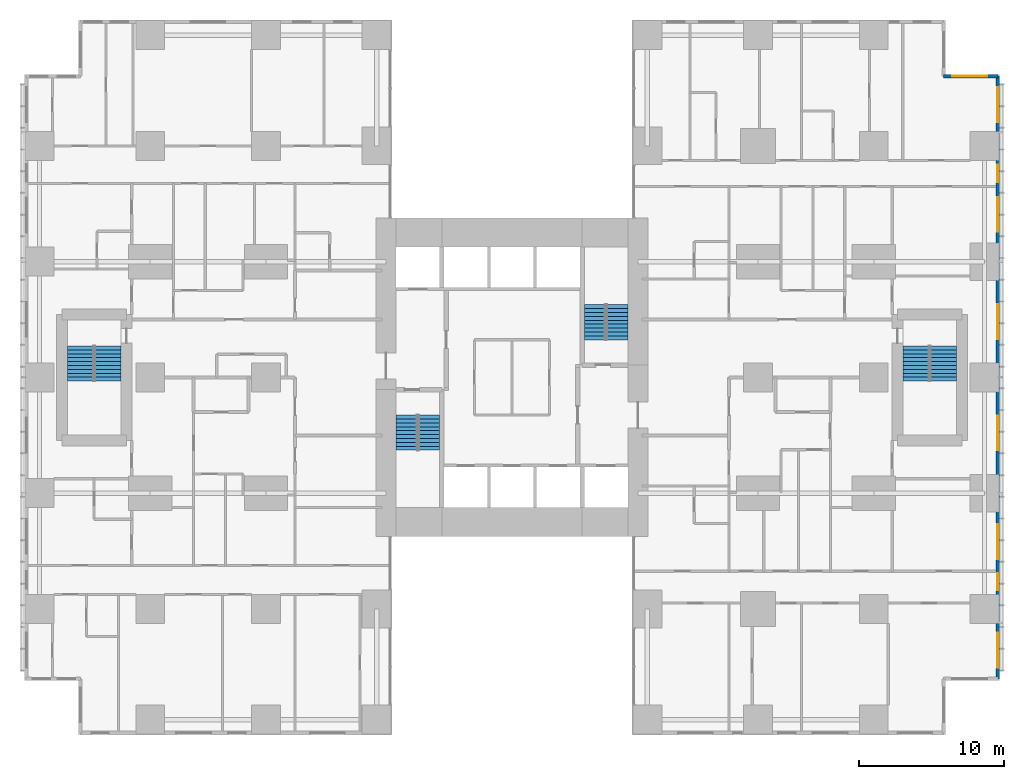
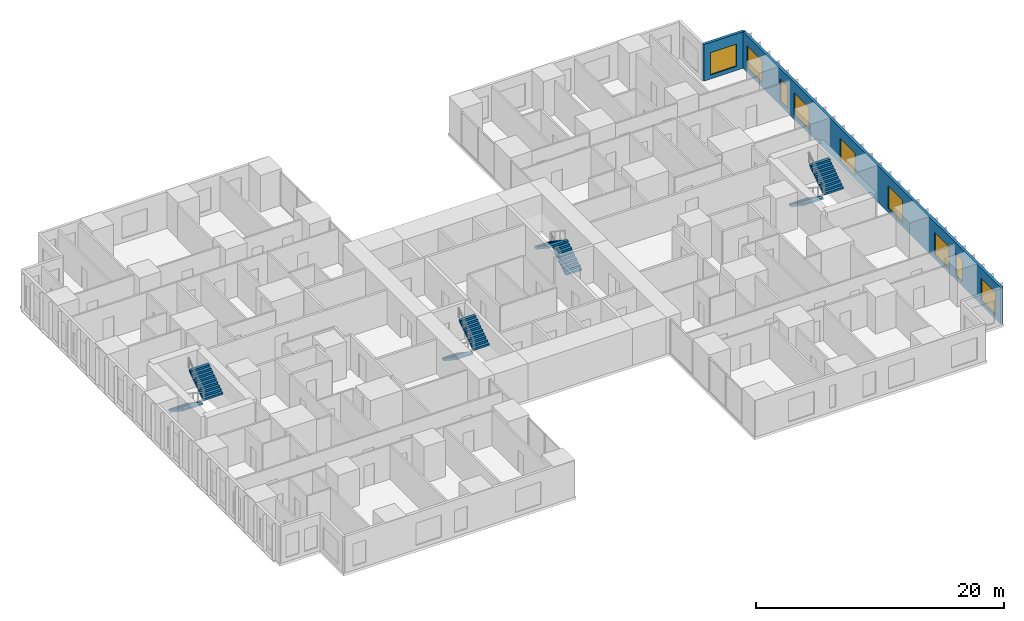
# One storey, part 19 of 20: 9 windows, 8 stair flights, 2 walls, 9 openings, 4 elements without a shape of their own.
"""IFC4 building model written with IfcOpenShell, lengths in metres."""

from ifc_helpers import new_model, si_unit, direction, frame, frame_2d, origin, place, context, subcontext, project, spatial, polyline, rectangle, outline, extrude, material, layer, layer_set, type_object, element, fill, aggregate, save


model = new_model("IFC4")

# Units and contexts
model_context = context("Model", 3, precision=1e-05, world=origin(), true_north=direction((0.0, 1.0)))
body_context = subcontext(model_context, "Body", "Model", "MODEL_VIEW")
ifc_project = project(units=[si_unit("LENGTHUNIT", "METRE"), si_unit("AREAUNIT", "SQUARE_METRE"), si_unit("VOLUMEUNIT", "CUBIC_METRE"), si_unit("PLANEANGLEUNIT", "RADIAN"), si_unit("MASSUNIT", "GRAM", prefix="KILO")], contexts=[model_context])

# Site, building, storey
site_placement = place(None, origin())
site = spatial("IfcSite", under=ifc_project, at=site_placement, CompositionType="ELEMENT")
building_placement = place(site_placement, origin())
building = spatial("IfcBuilding", under=site, at=building_placement, Name="Cleftline Residences", CompositionType="ELEMENT")
storey_placement = place(building_placement, frame((0.0, 0.0, 143.0)))
storey = spatial("IfcBuildingStorey", under=building, at=storey_placement, Name="L37", CompositionType="ELEMENT", Elevation=143.0)

# Wall, openings, windows
ifc_material_1 = material(Name="Rendered reinforced concrete blockwork", Category="masonry")
ifc_layer = layer(ifc_material_1, 0.25)
ifc_layer_set = layer_set([ifc_layer], Name="EXTERNAL WALL 250")
wall_type = type_object("IfcWallType", Name="EXTERNAL WALL 250", PredefinedType="SOLIDWALL", material=ifc_layer_set)
wall_1_placement = place(storey_placement, frame((66.574951171875, 3.175048828125, 0.0), z_axis=(0.0, 0.0, 1.0), x_axis=(0.0, 1.0, 0.0)))
wall_1 = element("IfcWall", 1, at=wall_1_placement, inside=storey, type_object=wall_type, Name="External wall", PredefinedType="SOLIDWALL", context=body_context, shape_type="SweptSolid", body=[
    extrude(rectangle(XDim=41.64990234375, YDim=0.25, at=frame_2d((20.824951171875, 0.0))), origin(), (0.0, 0.0, 1.0), 3.60009765625),
])
opening_1_placement = place(wall_1_placement, frame((0.77490234375, 0.0, 0.39990234375)))
opening_1 = element("IfcOpeningElement", 2, at=opening_1_placement, cuts=wall_1, Name="Opening W12", PredefinedType="OPENING", context=body_context, shape_type="SweptSolid", body=[
    extrude(rectangle(XDim=2.39990234375, YDim=2.199951171875, at=frame_2d((1.199951171875, 1.10009765625))), frame((0.0, 0.135009765625, 0.0), z_axis=(0.0, -1.0, 0.0), x_axis=(1.0, 0.0, 0.0)), (0.0, 0.0, 1.0), 0.27001953125),
])
opening_2_placement = place(wall_1_placement, frame((6.10009765625, 0.0, 0.39990234375)))
opening_2 = element("IfcOpeningElement", 3, at=opening_2_placement, cuts=wall_1, Name="Opening W11", PredefinedType="OPENING", context=body_context, shape_type="SweptSolid", body=[
    extrude(rectangle(XDim=1.199951171875, YDim=2.199951171875, at=frame_2d((0.60009765625, 1.10009765625))), frame((0.0, 0.135009765625, 0.0), z_axis=(0.0, -1.0, 0.0), x_axis=(1.0, 0.0, 0.0)), (0.0, 0.0, 1.0), 0.27001953125),
])
opening_3_placement = place(wall_1_placement, frame((8.27490234375, 0.0, 0.39990234375)))
opening_3 = element("IfcOpeningElement", 4, at=opening_3_placement, cuts=wall_1, Name="Opening W12", PredefinedType="OPENING", context=body_context, shape_type="SweptSolid", body=[
    extrude(rectangle(XDim=2.39990234375, YDim=2.199951171875, at=frame_2d((1.199951171875, 1.10009765625))), frame((0.0, 0.135009765625, 0.0), z_axis=(0.0, -1.0, 0.0), x_axis=(1.0, 0.0, 0.0)), (0.0, 0.0, 1.0), 0.27001953125),
])
opening_4_placement = place(wall_1_placement, frame((15.77490234375, 0.0, 0.39990234375)))
opening_4 = element("IfcOpeningElement", 5, at=opening_4_placement, cuts=wall_1, Name="Opening W12", PredefinedType="OPENING", context=body_context, shape_type="SweptSolid", body=[
    extrude(rectangle(XDim=2.39990234375, YDim=2.199951171875, at=frame_2d((1.199951171875, 1.10009765625))), frame((0.0, 0.135009765625, 0.0), z_axis=(0.0, -1.0, 0.0), x_axis=(1.0, 0.0, 0.0)), (0.0, 0.0, 1.0), 0.27001953125),
])
opening_5_placement = place(wall_1_placement, frame((23.47509765625, 0.0, 0.39990234375)))
opening_5 = element("IfcOpeningElement", 6, at=opening_5_placement, cuts=wall_1, Name="Opening W12", PredefinedType="OPENING", context=body_context, shape_type="SweptSolid", body=[
    extrude(rectangle(XDim=2.39990234375, YDim=2.199951171875, at=frame_2d((1.199951171875, 1.10009765625))), frame((0.0, 0.135009765625, 0.0), z_axis=(0.0, -1.0, 0.0), x_axis=(1.0, 0.0, 0.0)), (0.0, 0.0, 1.0), 0.27001953125),
])
opening_6_placement = place(wall_1_placement, frame((30.875, 0.0, 0.39990234375)))
opening_6 = element("IfcOpeningElement", 7, at=opening_6_placement, cuts=wall_1, Name="Opening W12", PredefinedType="OPENING", context=body_context, shape_type="SweptSolid", body=[
    extrude(rectangle(XDim=2.39990234375, YDim=2.199951171875, at=frame_2d((1.199951171875, 1.10009765625))), frame((0.0, 0.135009765625, 0.0), z_axis=(0.0, -1.0, 0.0), x_axis=(1.0, 0.0, 0.0)), (0.0, 0.0, 1.0), 0.27001953125),
])
opening_7_placement = place(wall_1_placement, frame((34.324951171875, 0.0, 0.39990234375)))
opening_7 = element("IfcOpeningElement", 8, at=opening_7_placement, cuts=wall_1, Name="Opening W11", PredefinedType="OPENING", context=body_context, shape_type="SweptSolid", body=[
    extrude(rectangle(XDim=1.199951171875, YDim=2.199951171875, at=frame_2d((0.60009765625, 1.10009765625))), frame((0.0, 0.135009765625, 0.0), z_axis=(0.0, -1.0, 0.0), x_axis=(1.0, 0.0, 0.0)), (0.0, 0.0, 1.0), 0.27001953125),
])
opening_8_placement = place(wall_1_placement, frame((38.47509765625, 0.0, 0.39990234375)))
opening_8 = element("IfcOpeningElement", 9, at=opening_8_placement, cuts=wall_1, Name="Opening W12", PredefinedType="OPENING", context=body_context, shape_type="SweptSolid", body=[
    extrude(rectangle(XDim=2.39990234375, YDim=2.199951171875, at=frame_2d((1.199951171875, 1.10009765625))), frame((0.0, 0.135009765625, 0.0), z_axis=(0.0, -1.0, 0.0), x_axis=(1.0, 0.0, 0.0)), (0.0, 0.0, 1.0), 0.27001953125),
])
ifc_material_2 = material(Name="Aluminium frame, clear double glazing", Category="aluminium")
window_type_1 = type_object("IfcWindowType", Name="WINDOW 1200X2200", PartitioningType="DOUBLE_PANEL_VERTICAL", PredefinedType="WINDOW", material=ifc_material_2)
window_1_placement = place(opening_2_placement, origin())
window_1 = element("IfcWindow", 10, at=window_1_placement, inside=storey, type_object=window_type_1, Name="Window", OverallHeight=2.199951171875, OverallWidth=1.199951171875, PartitioningType="SINGLE_PANEL", PredefinedType="WINDOW", context=body_context, shape_type="SweptSolid", body=[
    extrude(rectangle(XDim=1.199951171875, YDim=2.199951171875, at=frame_2d((0.60009765625, 1.10009765625))), frame((0.0, 0.030029296875, 0.0), z_axis=(0.0, -1.0, 0.0), x_axis=(1.0, 0.0, 0.0)), (0.0, 0.0, 1.0), 0.06005859375),
])
fill(opening_2, window_1)
window_2_placement = place(opening_7_placement, origin())
window_2 = element("IfcWindow", 11, at=window_2_placement, inside=storey, type_object=window_type_1, Name="Window", OverallHeight=2.199951171875, OverallWidth=1.199951171875, PartitioningType="SINGLE_PANEL", PredefinedType="WINDOW", context=body_context, shape_type="SweptSolid", body=[
    extrude(rectangle(XDim=1.199951171875, YDim=2.199951171875, at=frame_2d((0.60009765625, 1.10009765625))), frame((0.0, 0.030029296875, 0.0), z_axis=(0.0, -1.0, 0.0), x_axis=(1.0, 0.0, 0.0)), (0.0, 0.0, 1.0), 0.06005859375),
])
fill(opening_7, window_2)
ifc_material_3 = material(Name="Aluminium frame, clear double glazing", Category="aluminium")
window_type_2 = type_object("IfcWindowType", Name="WINDOW 2400X2200", PartitioningType="DOUBLE_PANEL_VERTICAL", PredefinedType="WINDOW", material=ifc_material_3)
window_3_placement = place(opening_1_placement, origin())
window_3 = element("IfcWindow", 12, at=window_3_placement, inside=storey, type_object=window_type_2, Name="Window", OverallHeight=2.199951171875, OverallWidth=2.39990234375, PartitioningType="SINGLE_PANEL", PredefinedType="WINDOW", context=body_context, shape_type="SweptSolid", body=[
    extrude(rectangle(XDim=2.39990234375, YDim=2.199951171875, at=frame_2d((1.199951171875, 1.10009765625))), frame((0.0, 0.030029296875, 0.0), z_axis=(0.0, -1.0, 0.0), x_axis=(1.0, 0.0, 0.0)), (0.0, 0.0, 1.0), 0.06005859375),
])
fill(opening_1, window_3)
window_4_placement = place(opening_3_placement, origin())
window_4 = element("IfcWindow", 13, at=window_4_placement, inside=storey, type_object=window_type_2, Name="Window", OverallHeight=2.199951171875, OverallWidth=2.39990234375, PartitioningType="SINGLE_PANEL", PredefinedType="WINDOW", context=body_context, shape_type="SweptSolid", body=[
    extrude(rectangle(XDim=2.39990234375, YDim=2.199951171875, at=frame_2d((1.199951171875, 1.10009765625))), frame((0.0, 0.030029296875, 0.0), z_axis=(0.0, -1.0, 0.0), x_axis=(1.0, 0.0, 0.0)), (0.0, 0.0, 1.0), 0.06005859375),
])
fill(opening_3, window_4)
window_5_placement = place(opening_4_placement, origin())
window_5 = element("IfcWindow", 14, at=window_5_placement, inside=storey, type_object=window_type_2, Name="Window", OverallHeight=2.199951171875, OverallWidth=2.39990234375, PartitioningType="SINGLE_PANEL", PredefinedType="WINDOW", context=body_context, shape_type="SweptSolid", body=[
    extrude(rectangle(XDim=2.39990234375, YDim=2.199951171875, at=frame_2d((1.199951171875, 1.10009765625))), frame((0.0, 0.030029296875, 0.0), z_axis=(0.0, -1.0, 0.0), x_axis=(1.0, 0.0, 0.0)), (0.0, 0.0, 1.0), 0.06005859375),
])
fill(opening_4, window_5)
window_6_placement = place(opening_5_placement, origin())
window_6 = element("IfcWindow", 15, at=window_6_placement, inside=storey, type_object=window_type_2, Name="Window", OverallHeight=2.199951171875, OverallWidth=2.39990234375, PartitioningType="SINGLE_PANEL", PredefinedType="WINDOW", context=body_context, shape_type="SweptSolid", body=[
    extrude(rectangle(XDim=2.39990234375, YDim=2.199951171875, at=frame_2d((1.199951171875, 1.10009765625))), frame((0.0, 0.030029296875, 0.0), z_axis=(0.0, -1.0, 0.0), x_axis=(1.0, 0.0, 0.0)), (0.0, 0.0, 1.0), 0.06005859375),
])
fill(opening_5, window_6)
window_7_placement = place(opening_6_placement, origin())
window_7 = element("IfcWindow", 16, at=window_7_placement, inside=storey, type_object=window_type_2, Name="Window", OverallHeight=2.199951171875, OverallWidth=2.39990234375, PartitioningType="SINGLE_PANEL", PredefinedType="WINDOW", context=body_context, shape_type="SweptSolid", body=[
    extrude(rectangle(XDim=2.39990234375, YDim=2.199951171875, at=frame_2d((1.199951171875, 1.10009765625))), frame((0.0, 0.030029296875, 0.0), z_axis=(0.0, -1.0, 0.0), x_axis=(1.0, 0.0, 0.0)), (0.0, 0.0, 1.0), 0.06005859375),
])
fill(opening_6, window_7)
window_8_placement = place(opening_8_placement, origin())
window_8 = element("IfcWindow", 17, at=window_8_placement, inside=storey, type_object=window_type_2, Name="Window", OverallHeight=2.199951171875, OverallWidth=2.39990234375, PartitioningType="SINGLE_PANEL", PredefinedType="WINDOW", context=body_context, shape_type="SweptSolid", body=[
    extrude(rectangle(XDim=2.39990234375, YDim=2.199951171875, at=frame_2d((1.199951171875, 1.10009765625))), frame((0.0, 0.030029296875, 0.0), z_axis=(0.0, -1.0, 0.0), x_axis=(1.0, 0.0, 0.0)), (0.0, 0.0, 1.0), 0.06005859375),
])
fill(opening_8, window_8)

# Wall, opening, window
wall_2_placement = place(storey_placement, frame((66.574951171875, 44.824951171875, 0.0), z_axis=(0.0, 0.0, 1.0), x_axis=(-1.0, 0.0, 0.0)))
wall_2 = element("IfcWall", 18, at=wall_2_placement, inside=storey, type_object=wall_type, Name="External wall", PredefinedType="SOLIDWALL", context=body_context, shape_type="SweptSolid", body=[
    extrude(rectangle(XDim=3.75, YDim=0.25, at=frame_2d((1.875, 0.0))), origin(), (0.0, 0.0, 1.0), 3.60009765625),
])
opening_9_placement = place(wall_2_placement, frame((0.737548828125, 0.0, 0.39990234375)))
opening_9 = element("IfcOpeningElement", 19, at=opening_9_placement, cuts=wall_2, Name="Opening W12", PredefinedType="OPENING", context=body_context, shape_type="SweptSolid", body=[
    extrude(rectangle(XDim=2.39990234375, YDim=2.199951171875, at=frame_2d((1.199951171875, 1.10009765625))), frame((0.0, 0.135009765625, 0.0), z_axis=(0.0, -1.0, 0.0), x_axis=(1.0, 0.0, 0.0)), (0.0, 0.0, 1.0), 0.27001953125),
])
window_9_placement = place(opening_9_placement, origin())
window_9 = element("IfcWindow", 20, at=window_9_placement, inside=storey, type_object=window_type_2, Name="Window", OverallHeight=2.199951171875, OverallWidth=2.39990234375, PartitioningType="SINGLE_PANEL", PredefinedType="WINDOW", context=body_context, shape_type="SweptSolid", body=[
    extrude(rectangle(XDim=2.39990234375, YDim=2.199951171875, at=frame_2d((1.199951171875, 1.10009765625))), frame((0.0, 0.030029296875, 0.0), z_axis=(0.0, -1.0, 0.0), x_axis=(1.0, 0.0, 0.0)), (0.0, 0.0, 1.0), 0.06005859375),
])
fill(opening_9, window_9)

# Stair, stair flights
ifc_material_4 = material(Name="Concrete B45, stone treads", Category="masonry")
stair_type_1 = type_object("IfcStairType", Name="STAIR A 1450 WIDE 180 RISER", PredefinedType="HALF_TURN_STAIR", material=ifc_material_4)
stair_1_placement = place(storey_placement, origin())
stair_1 = element("IfcStair", 21, at=stair_1_placement, inside=storey, type_object=stair_type_1, Name="Stair A L37", PredefinedType="HALF_TURN_STAIR")
ifc_material_5 = material(Name="Concrete B45", Category="concrete")
stair_flight_type_1 = type_object("IfcStairFlightType", Name="STAIR A FLIGHT 1450X180", PredefinedType="STRAIGHT", material=ifc_material_5)
stair_flight_1_placement = place(storey_placement, frame((25.72509765625, 21.39990234375, 0.0), z_axis=(0.0, 0.0, 1.0), x_axis=(0.0, -1.0, 0.0)))
stair_flight_1 = element("IfcStairFlight", 22, at=stair_flight_1_placement, type_object=stair_flight_type_1, Name="ST-A flight 1", NumberOfRisers=10, NumberOfTreads=9, PredefinedType="STRAIGHT", RiserHeight=0.18, TreadLength=0.27, context=body_context, shape_type="SweptSolid", body=[
    extrude(outline(polyline([(0.0, 0.0), (0.0, 0.013916015625), (0.0, 0.027587890625), (0.0, 0.04150390625), (0.0, 0.055419921875), (0.0, 0.0693359375), (0.0, 0.0830078125), (0.0, 0.096923828125), (0.0, 0.11083984375), (0.0, 0.12451171875), (0.0, 0.138427734375), (0.0, 0.15234375), (0.0, 0.166259765625), (0.0, 0.179931640625), (0.27001953125, 0.179931640625), (0.27001953125, 0.360107421875), (0.5400390625, 0.360107421875), (0.5400390625, 0.5400390625), (0.81005859375, 0.5400390625), (0.81005859375, 0.719970703125), (1.080078125, 0.719970703125), (1.080078125, 0.89990234375), (1.35009765625, 0.89990234375), (1.35009765625, 1.080078125), (1.6201171875, 1.080078125), (1.6201171875, 1.260009765625), (1.889892578125, 1.260009765625), (1.889892578125, 1.43994140625), (2.159912109375, 1.43994140625), (2.159912109375, 1.6201171875), (2.429931640625, 1.6201171875), (2.429931640625, 1.800048828125), (2.429931640625, 1.772216796875), (2.429931640625, 1.74462890625), (2.429931640625, 1.716796875), (2.429931640625, 1.689208984375), (2.429931640625, 1.661376953125), (2.429931640625, 1.6337890625), (2.429931640625, 1.60595703125), (2.429931640625, 1.578369140625), (2.429931640625, 1.550537109375), (2.429931640625, 1.52294921875), (2.429931640625, 1.495361328125), (2.429931640625, 1.467529296875), (2.429931640625, 1.43994140625), (0.270263671875, 0.0), (0.0, 0.0)])), frame((0.0, 0.72509765625, 0.0), z_axis=(0.0, -1.0, 0.0), x_axis=(1.0, 0.0, 0.0)), (0.0, 0.0, 1.0), 1.449951171875),
])
stair_flight_2_placement = place(storey_placement, frame((27.27490234375, 18.969970703125, 1.800048828125), z_axis=(0.0, 0.0, 1.0), x_axis=(0.0, 1.0, 0.0)))
stair_flight_2 = element("IfcStairFlight", 23, at=stair_flight_2_placement, type_object=stair_flight_type_1, Name="ST-A flight 2", NumberOfRisers=10, NumberOfTreads=9, PredefinedType="STRAIGHT", RiserHeight=0.18, TreadLength=0.27, context=body_context, shape_type="SweptSolid", body=[
    extrude(outline(polyline([(0.0, 0.0), (0.0, 0.013916015625), (0.0, 0.027587890625), (0.0, 0.04150390625), (0.0, 0.055419921875), (0.0, 0.0693359375), (0.0, 0.0830078125), (0.0, 0.096923828125), (0.0, 0.11083984375), (0.0, 0.12451171875), (0.0, 0.138427734375), (0.0, 0.15234375), (0.0, 0.166259765625), (0.0, 0.179931640625), (0.27001953125, 0.179931640625), (0.27001953125, 0.360107421875), (0.5400390625, 0.360107421875), (0.5400390625, 0.5400390625), (0.81005859375, 0.5400390625), (0.81005859375, 0.719970703125), (1.080078125, 0.719970703125), (1.080078125, 0.89990234375), (1.35009765625, 0.89990234375), (1.35009765625, 1.080078125), (1.6201171875, 1.080078125), (1.6201171875, 1.260009765625), (1.889892578125, 1.260009765625), (1.889892578125, 1.43994140625), (2.159912109375, 1.43994140625), (2.159912109375, 1.6201171875), (2.429931640625, 1.6201171875), (2.429931640625, 1.800048828125), (2.429931640625, 1.772216796875), (2.429931640625, 1.74462890625), (2.429931640625, 1.716796875), (2.429931640625, 1.689208984375), (2.429931640625, 1.661376953125), (2.429931640625, 1.6337890625), (2.429931640625, 1.60595703125), (2.429931640625, 1.578369140625), (2.429931640625, 1.550537109375), (2.429931640625, 1.52294921875), (2.429931640625, 1.495361328125), (2.429931640625, 1.467529296875), (2.429931640625, 1.43994140625), (0.270263671875, 0.0), (0.0, 0.0)])), frame((0.0, 0.72509765625, 0.0), z_axis=(0.0, -1.0, 0.0), x_axis=(1.0, 0.0, 0.0)), (0.0, 0.0, 1.0), 1.449951171875),
])
aggregate(stair_1, [stair_flight_1, stair_flight_2])

ifc_material_6 = material(Name="Concrete B45, stone treads", Category="masonry")
stair_type_2 = type_object("IfcStairType", Name="STAIR B 1450 WIDE 180 RISER", PredefinedType="HALF_TURN_STAIR", material=ifc_material_6)
stair_2_placement = place(storey_placement, origin())
stair_2 = element("IfcStair", 24, at=stair_2_placement, inside=storey, type_object=stair_type_2, Name="Stair B L37", PredefinedType="HALF_TURN_STAIR")
ifc_material_7 = material(Name="Concrete B45", Category="concrete")
stair_flight_type_2 = type_object("IfcStairFlightType", Name="STAIR B FLIGHT 1450X180", PredefinedType="STRAIGHT", material=ifc_material_7)
stair_flight_3_placement = place(storey_placement, frame((40.27490234375, 26.60009765625, 0.0), z_axis=(0.0, 0.0, 1.0), x_axis=(0.0, 1.0, 0.0)))
stair_flight_3 = element("IfcStairFlight", 25, at=stair_flight_3_placement, type_object=stair_flight_type_2, Name="ST-B flight 1", NumberOfRisers=10, NumberOfTreads=9, PredefinedType="STRAIGHT", RiserHeight=0.18, TreadLength=0.27, context=body_context, shape_type="SweptSolid", body=[
    extrude(outline(polyline([(0.0, 0.0), (0.0, 0.013916015625), (0.0, 0.027587890625), (0.0, 0.04150390625), (0.0, 0.055419921875), (0.0, 0.0693359375), (0.0, 0.0830078125), (0.0, 0.096923828125), (0.0, 0.11083984375), (0.0, 0.12451171875), (0.0, 0.138427734375), (0.0, 0.15234375), (0.0, 0.166259765625), (0.0, 0.179931640625), (0.27001953125, 0.179931640625), (0.27001953125, 0.360107421875), (0.5400390625, 0.360107421875), (0.5400390625, 0.5400390625), (0.81005859375, 0.5400390625), (0.81005859375, 0.719970703125), (1.080078125, 0.719970703125), (1.080078125, 0.89990234375), (1.35009765625, 0.89990234375), (1.35009765625, 1.080078125), (1.6201171875, 1.080078125), (1.6201171875, 1.260009765625), (1.889892578125, 1.260009765625), (1.889892578125, 1.43994140625), (2.159912109375, 1.43994140625), (2.159912109375, 1.6201171875), (2.429931640625, 1.6201171875), (2.429931640625, 1.800048828125), (2.429931640625, 1.772216796875), (2.429931640625, 1.74462890625), (2.429931640625, 1.716796875), (2.429931640625, 1.689208984375), (2.429931640625, 1.661376953125), (2.429931640625, 1.6337890625), (2.429931640625, 1.60595703125), (2.429931640625, 1.578369140625), (2.429931640625, 1.550537109375), (2.429931640625, 1.52294921875), (2.429931640625, 1.495361328125), (2.429931640625, 1.467529296875), (2.429931640625, 1.43994140625), (0.270263671875, 0.0), (0.0, 0.0)])), frame((0.0, 0.72509765625, 0.0), z_axis=(0.0, -1.0, 0.0), x_axis=(1.0, 0.0, 0.0)), (0.0, 0.0, 1.0), 1.449951171875),
])
stair_flight_4_placement = place(storey_placement, frame((38.72509765625, 29.030029296875, 1.800048828125), z_axis=(0.0, 0.0, 1.0), x_axis=(0.0, -1.0, 0.0)))
stair_flight_4 = element("IfcStairFlight", 26, at=stair_flight_4_placement, type_object=stair_flight_type_2, Name="ST-B flight 2", NumberOfRisers=10, NumberOfTreads=9, PredefinedType="STRAIGHT", RiserHeight=0.18, TreadLength=0.27, context=body_context, shape_type="SweptSolid", body=[
    extrude(outline(polyline([(0.0, 0.0), (0.0, 0.013916015625), (0.0, 0.027587890625), (0.0, 0.04150390625), (0.0, 0.055419921875), (0.0, 0.0693359375), (0.0, 0.0830078125), (0.0, 0.096923828125), (0.0, 0.11083984375), (0.0, 0.12451171875), (0.0, 0.138427734375), (0.0, 0.15234375), (0.0, 0.166259765625), (0.0, 0.179931640625), (0.27001953125, 0.179931640625), (0.27001953125, 0.360107421875), (0.5400390625, 0.360107421875), (0.5400390625, 0.5400390625), (0.81005859375, 0.5400390625), (0.81005859375, 0.719970703125), (1.080078125, 0.719970703125), (1.080078125, 0.89990234375), (1.35009765625, 0.89990234375), (1.35009765625, 1.080078125), (1.6201171875, 1.080078125), (1.6201171875, 1.260009765625), (1.889892578125, 1.260009765625), (1.889892578125, 1.43994140625), (2.159912109375, 1.43994140625), (2.159912109375, 1.6201171875), (2.429931640625, 1.6201171875), (2.429931640625, 1.800048828125), (2.429931640625, 1.772216796875), (2.429931640625, 1.74462890625), (2.429931640625, 1.716796875), (2.429931640625, 1.689208984375), (2.429931640625, 1.661376953125), (2.429931640625, 1.6337890625), (2.429931640625, 1.60595703125), (2.429931640625, 1.578369140625), (2.429931640625, 1.550537109375), (2.429931640625, 1.52294921875), (2.429931640625, 1.495361328125), (2.429931640625, 1.467529296875), (2.429931640625, 1.43994140625), (0.270263671875, 0.0), (0.0, 0.0)])), frame((0.0, 0.72509765625, 0.0), z_axis=(0.0, -1.0, 0.0), x_axis=(1.0, 0.0, 0.0)), (0.0, 0.0, 1.0), 1.449951171875),
])
aggregate(stair_2, [stair_flight_3, stair_flight_4])

ifc_material_8 = material(Name="Concrete B45, stone treads", Category="masonry")
stair_type_3 = type_object("IfcStairType", Name="STAIR E 1800 WIDE 180 RISER", PredefinedType="HALF_TURN_STAIR", material=ifc_material_8)
stair_3_placement = place(storey_placement, origin())
stair_3 = element("IfcStair", 27, at=stair_3_placement, inside=storey, type_object=stair_type_3, Name="Stair E L37", PredefinedType="HALF_TURN_STAIR")
ifc_material_9 = material(Name="Concrete B45", Category="concrete")
stair_flight_type_3 = type_object("IfcStairFlightType", Name="STAIR E FLIGHT 1800X180", PredefinedType="STRAIGHT", material=ifc_material_9)
stair_flight_5_placement = place(storey_placement, frame((60.925048828125, 26.175048828125, 0.0), z_axis=(0.0, 0.0, 1.0), x_axis=(0.0, -1.0, 0.0)))
stair_flight_5 = element("IfcStairFlight", 28, at=stair_flight_5_placement, type_object=stair_flight_type_3, Name="ST-E flight 1", NumberOfRisers=10, NumberOfTreads=9, PredefinedType="STRAIGHT", RiserHeight=0.18, TreadLength=0.27, context=body_context, shape_type="SweptSolid", body=[
    extrude(outline(polyline([(0.0, 0.0), (0.0, 0.013916015625), (0.0, 0.027587890625), (0.0, 0.04150390625), (0.0, 0.055419921875), (0.0, 0.0693359375), (0.0, 0.0830078125), (0.0, 0.096923828125), (0.0, 0.11083984375), (0.0, 0.12451171875), (0.0, 0.138427734375), (0.0, 0.15234375), (0.0, 0.166259765625), (0.0, 0.179931640625), (0.27001953125, 0.179931640625), (0.27001953125, 0.360107421875), (0.5400390625, 0.360107421875), (0.5400390625, 0.5400390625), (0.81005859375, 0.5400390625), (0.81005859375, 0.719970703125), (1.080078125, 0.719970703125), (1.080078125, 0.89990234375), (1.35009765625, 0.89990234375), (1.35009765625, 1.080078125), (1.6201171875, 1.080078125), (1.6201171875, 1.260009765625), (1.889892578125, 1.260009765625), (1.889892578125, 1.43994140625), (2.159912109375, 1.43994140625), (2.159912109375, 1.6201171875), (2.429931640625, 1.6201171875), (2.429931640625, 1.800048828125), (2.429931640625, 1.772216796875), (2.429931640625, 1.74462890625), (2.429931640625, 1.716796875), (2.429931640625, 1.689208984375), (2.429931640625, 1.661376953125), (2.429931640625, 1.6337890625), (2.429931640625, 1.60595703125), (2.429931640625, 1.578369140625), (2.429931640625, 1.550537109375), (2.429931640625, 1.52294921875), (2.429931640625, 1.495361328125), (2.429931640625, 1.467529296875), (2.429931640625, 1.43994140625), (0.270263671875, 0.0), (0.0, 0.0)])), frame((0.0, 0.89990234375, 0.0), z_axis=(0.0, -1.0, 0.0), x_axis=(1.0, 0.0, 0.0)), (0.0, 0.0, 1.0), 1.800048828125),
])
stair_flight_6_placement = place(storey_placement, frame((62.824951171875, 23.7451171875, 1.800048828125), z_axis=(0.0, 0.0, 1.0), x_axis=(0.0, 1.0, 0.0)))
stair_flight_6 = element("IfcStairFlight", 29, at=stair_flight_6_placement, type_object=stair_flight_type_3, Name="ST-E flight 2", NumberOfRisers=10, NumberOfTreads=9, PredefinedType="STRAIGHT", RiserHeight=0.18, TreadLength=0.27, context=body_context, shape_type="SweptSolid", body=[
    extrude(outline(polyline([(0.0, 0.0), (0.0, 0.013916015625), (0.0, 0.027587890625), (0.0, 0.04150390625), (0.0, 0.055419921875), (0.0, 0.0693359375), (0.0, 0.0830078125), (0.0, 0.096923828125), (0.0, 0.11083984375), (0.0, 0.12451171875), (0.0, 0.138427734375), (0.0, 0.15234375), (0.0, 0.166259765625), (0.0, 0.179931640625), (0.27001953125, 0.179931640625), (0.27001953125, 0.360107421875), (0.5400390625, 0.360107421875), (0.5400390625, 0.5400390625), (0.81005859375, 0.5400390625), (0.81005859375, 0.719970703125), (1.080078125, 0.719970703125), (1.080078125, 0.89990234375), (1.35009765625, 0.89990234375), (1.35009765625, 1.080078125), (1.6201171875, 1.080078125), (1.6201171875, 1.260009765625), (1.889892578125, 1.260009765625), (1.889892578125, 1.43994140625), (2.159912109375, 1.43994140625), (2.159912109375, 1.6201171875), (2.429931640625, 1.6201171875), (2.429931640625, 1.800048828125), (2.429931640625, 1.772216796875), (2.429931640625, 1.74462890625), (2.429931640625, 1.716796875), (2.429931640625, 1.689208984375), (2.429931640625, 1.661376953125), (2.429931640625, 1.6337890625), (2.429931640625, 1.60595703125), (2.429931640625, 1.578369140625), (2.429931640625, 1.550537109375), (2.429931640625, 1.52294921875), (2.429931640625, 1.495361328125), (2.429931640625, 1.467529296875), (2.429931640625, 1.43994140625), (0.270263671875, 0.0), (0.0, 0.0)])), frame((0.0, 0.89990234375, 0.0), z_axis=(0.0, -1.0, 0.0), x_axis=(1.0, 0.0, 0.0)), (0.0, 0.0, 1.0), 1.800048828125),
])
aggregate(stair_3, [stair_flight_5, stair_flight_6])

ifc_material_10 = material(Name="Concrete B45, stone treads", Category="masonry")
stair_type_4 = type_object("IfcStairType", Name="STAIR W 1800 WIDE 180 RISER", PredefinedType="HALF_TURN_STAIR", material=ifc_material_10)
stair_4_placement = place(storey_placement, origin())
stair_4 = element("IfcStair", 30, at=stair_4_placement, inside=storey, type_object=stair_type_4, Name="Stair W L37", PredefinedType="HALF_TURN_STAIR")
ifc_material_11 = material(Name="Concrete B45", Category="concrete")
stair_flight_type_4 = type_object("IfcStairFlightType", Name="STAIR W FLIGHT 1800X180", PredefinedType="STRAIGHT", material=ifc_material_11)
stair_flight_7_placement = place(storey_placement, frame((3.175048828125, 26.175048828125, 0.0), z_axis=(0.0, 0.0, 1.0), x_axis=(0.0, -1.0, 0.0)))
stair_flight_7 = element("IfcStairFlight", 31, at=stair_flight_7_placement, type_object=stair_flight_type_4, Name="ST-W flight 1", NumberOfRisers=10, NumberOfTreads=9, PredefinedType="STRAIGHT", RiserHeight=0.18, TreadLength=0.27, context=body_context, shape_type="SweptSolid", body=[
    extrude(outline(polyline([(0.0, 0.0), (0.0, 0.013916015625), (0.0, 0.027587890625), (0.0, 0.04150390625), (0.0, 0.055419921875), (0.0, 0.0693359375), (0.0, 0.0830078125), (0.0, 0.096923828125), (0.0, 0.11083984375), (0.0, 0.12451171875), (0.0, 0.138427734375), (0.0, 0.15234375), (0.0, 0.166259765625), (0.0, 0.179931640625), (0.27001953125, 0.179931640625), (0.27001953125, 0.360107421875), (0.5400390625, 0.360107421875), (0.5400390625, 0.5400390625), (0.81005859375, 0.5400390625), (0.81005859375, 0.719970703125), (1.080078125, 0.719970703125), (1.080078125, 0.89990234375), (1.35009765625, 0.89990234375), (1.35009765625, 1.080078125), (1.6201171875, 1.080078125), (1.6201171875, 1.260009765625), (1.889892578125, 1.260009765625), (1.889892578125, 1.43994140625), (2.159912109375, 1.43994140625), (2.159912109375, 1.6201171875), (2.429931640625, 1.6201171875), (2.429931640625, 1.800048828125), (2.429931640625, 1.772216796875), (2.429931640625, 1.74462890625), (2.429931640625, 1.716796875), (2.429931640625, 1.689208984375), (2.429931640625, 1.661376953125), (2.429931640625, 1.6337890625), (2.429931640625, 1.60595703125), (2.429931640625, 1.578369140625), (2.429931640625, 1.550537109375), (2.429931640625, 1.52294921875), (2.429931640625, 1.495361328125), (2.429931640625, 1.467529296875), (2.429931640625, 1.43994140625), (0.270263671875, 0.0), (0.0, 0.0)])), frame((0.0, 0.89990234375, 0.0), z_axis=(0.0, -1.0, 0.0), x_axis=(1.0, 0.0, 0.0)), (0.0, 0.0, 1.0), 1.800048828125),
])
stair_flight_8_placement = place(storey_placement, frame((5.074951171875, 23.7451171875, 1.800048828125), z_axis=(0.0, 0.0, 1.0), x_axis=(0.0, 1.0, 0.0)))
stair_flight_8 = element("IfcStairFlight", 32, at=stair_flight_8_placement, type_object=stair_flight_type_4, Name="ST-W flight 2", NumberOfRisers=10, NumberOfTreads=9, PredefinedType="STRAIGHT", RiserHeight=0.18, TreadLength=0.27, context=body_context, shape_type="SweptSolid", body=[
    extrude(outline(polyline([(0.0, 0.0), (0.0, 0.013916015625), (0.0, 0.027587890625), (0.0, 0.04150390625), (0.0, 0.055419921875), (0.0, 0.0693359375), (0.0, 0.0830078125), (0.0, 0.096923828125), (0.0, 0.11083984375), (0.0, 0.12451171875), (0.0, 0.138427734375), (0.0, 0.15234375), (0.0, 0.166259765625), (0.0, 0.179931640625), (0.27001953125, 0.179931640625), (0.27001953125, 0.360107421875), (0.5400390625, 0.360107421875), (0.5400390625, 0.5400390625), (0.81005859375, 0.5400390625), (0.81005859375, 0.719970703125), (1.080078125, 0.719970703125), (1.080078125, 0.89990234375), (1.35009765625, 0.89990234375), (1.35009765625, 1.080078125), (1.6201171875, 1.080078125), (1.6201171875, 1.260009765625), (1.889892578125, 1.260009765625), (1.889892578125, 1.43994140625), (2.159912109375, 1.43994140625), (2.159912109375, 1.6201171875), (2.429931640625, 1.6201171875), (2.429931640625, 1.800048828125), (2.429931640625, 1.772216796875), (2.429931640625, 1.74462890625), (2.429931640625, 1.716796875), (2.429931640625, 1.689208984375), (2.429931640625, 1.661376953125), (2.429931640625, 1.6337890625), (2.429931640625, 1.60595703125), (2.429931640625, 1.578369140625), (2.429931640625, 1.550537109375), (2.429931640625, 1.52294921875), (2.429931640625, 1.495361328125), (2.429931640625, 1.467529296875), (2.429931640625, 1.43994140625), (0.270263671875, 0.0), (0.0, 0.0)])), frame((0.0, 0.89990234375, 0.0), z_axis=(0.0, -1.0, 0.0), x_axis=(1.0, 0.0, 0.0)), (0.0, 0.0, 1.0), 1.800048828125),
])
aggregate(stair_4, [stair_flight_7, stair_flight_8])

save(model, "model.ifc")
